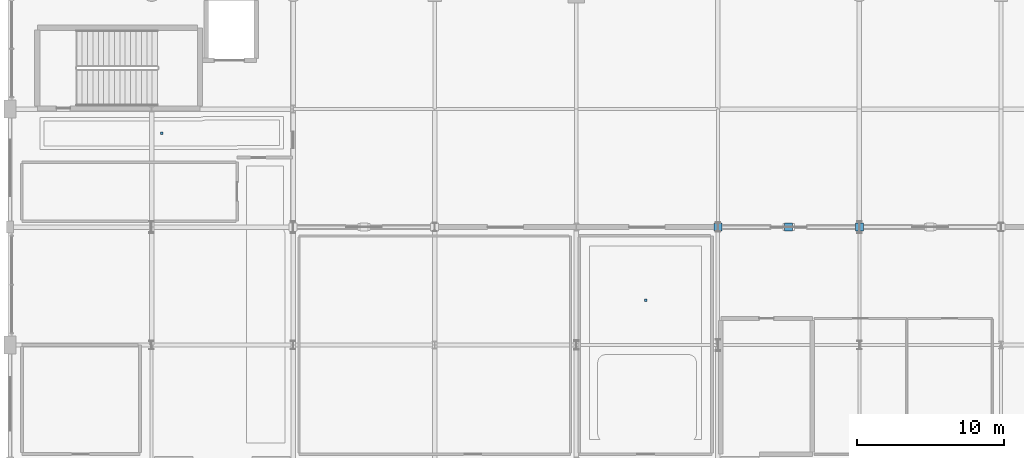
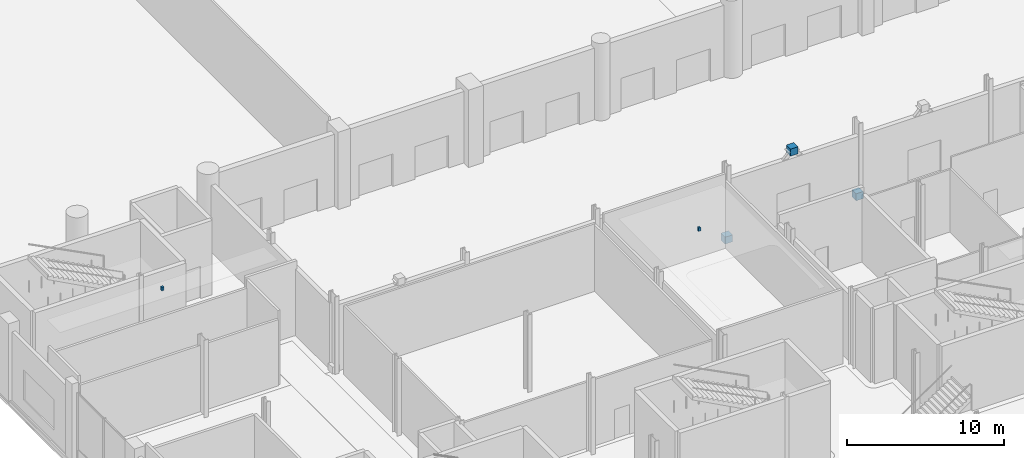
# One storey, part 93 of 124: 5 discrete accessories.
"""IFC4 building model written with IfcOpenShell, lengths in metres."""

from ifc_helpers import new_model, si_unit, direction, frame, origin, origin_2d, place, context, subcontext, project, spatial, rectangle, extrude, material, type_object, element, save


model = new_model("IFC4")

# Units and contexts
model_context = context("Model", 3, precision=1e-05, world=origin(), true_north=direction((0.0, 1.0)))
body_context = subcontext(model_context, "Body", "Model", "MODEL_VIEW")
ifc_project = project(units=[si_unit("LENGTHUNIT", "METRE"), si_unit("AREAUNIT", "SQUARE_METRE"), si_unit("VOLUMEUNIT", "CUBIC_METRE"), si_unit("PLANEANGLEUNIT", "RADIAN"), si_unit("MASSUNIT", "GRAM", prefix="KILO")], contexts=[model_context])

# Site, building, storey
site_placement = place(None, origin())
site = spatial("IfcSite", under=ifc_project, at=site_placement, CompositionType="ELEMENT")
building_placement = place(site_placement, origin())
building = spatial("IfcBuilding", under=site, at=building_placement, Name="Danafjord Basin Convention Centre", CompositionType="ELEMENT")
storey_placement = place(building_placement, origin())
storey = spatial("IfcBuildingStorey", under=building, at=storey_placement, Name="L00", CompositionType="ELEMENT", Elevation=0.0)

# Discrete accessories
ifc_material_1 = material(Name="Stainless steel EN 1.4404", Category="steel")
discrete_accessory_type_1 = type_object("IfcDiscreteAccessoryType", Name="ACC-FIN-BRK", PredefinedType="BRACKET", material=ifc_material_1)
for number, where, z_axis, x_axis, name in (
    (1, (10.2900390625, 46.364990234375, 5.509765625), (0.0, 0.0, 1.0), (1.0, 0.0, 0.0), "Suspended ceiling steel hanger assembly"),
    (2, (43.10009765625, 35.02490234375, 5.509765625), (0.0, 0.0, 1.0), (1.0, 0.0, 0.0), "Suspended ceiling steel hanger assembly"),
):
    element("IfcDiscreteAccessory", number, at=place(storey_placement, frame(where, z_axis=z_axis, x_axis=x_axis)), inside=storey, type_object=discrete_accessory_type_1, Name=name, PredefinedType="BRACKET", context=body_context, shape_type="SweptSolid", body=[
        extrude(rectangle(XDim=0.159912109375, YDim=0.159912109375, at=origin_2d()), origin(), (0.0, 0.0, 1.0), 0.280029296875),
    ])
ifc_material_2 = material(Name="Steel S355", Category="steel")
discrete_accessory_type_2 = type_object("IfcDiscreteAccessoryType", Name="ACC-SF-HUB", PredefinedType="BRACKET", material=ifc_material_2)
for number, where, z_axis, x_axis, name in (
    (3, (48.0, 40.0, -0.02001953125), (0.0, 0.0, 1.0), (1.0, 0.0, 0.0), "Braced frame closed steel node"),
    (4, (57.60009765625, 40.0, -0.02001953125), (0.0, 0.0, 1.0), (1.0, 0.0, 0.0), "Braced frame closed steel node"),
    (5, (52.800048828125, 40.0, 5.1298828125), (0.0, 0.0, 1.0), (1.0, 0.0, 0.0), "Braced frame closed steel node"),
):
    element("IfcDiscreteAccessory", number, at=place(storey_placement, frame(where, z_axis=z_axis, x_axis=x_axis)), inside=storey, type_object=discrete_accessory_type_2, Name=name, PredefinedType="BRACKET", context=body_context, shape_type="SweptSolid", body=[
        extrude(rectangle(XDim=0.5400390625, YDim=0.5400390625, at=origin_2d()), origin(), (0.0, 0.0, 1.0), 0.5400390625),
    ])

save(model, "model.ifc")
